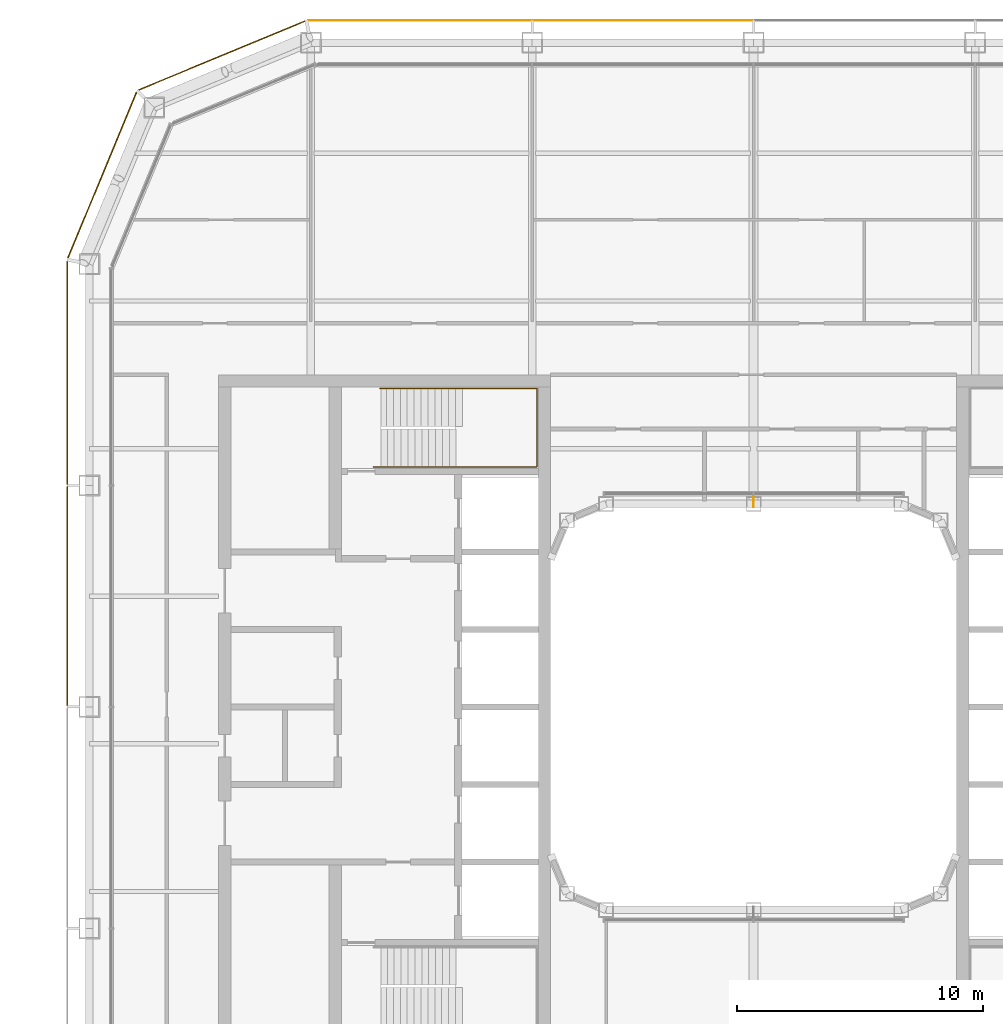
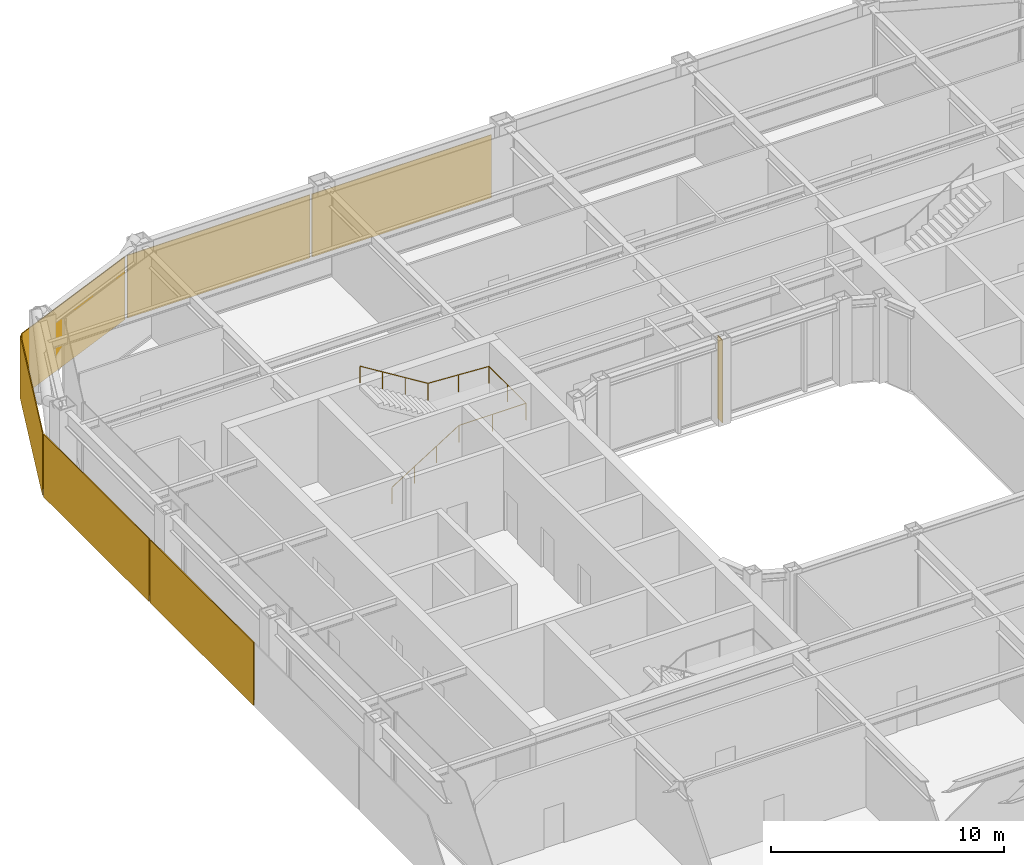
# One storey, part 21 of 23: 6 coverings, 1 railing, 1 shading device.
"""IFC4 building model written with IfcOpenShell, lengths in metres."""

from ifc_helpers import new_model, si_unit, direction, frame, origin, origin_2d, place, context, subcontext, project, spatial, rectangle, circle, extrude, material, layer, layer_set, type_object, element, save


model = new_model("IFC4")

# Units and contexts
model_context = context("Model", 3, precision=1e-05, world=origin(), true_north=direction((0.0, 1.0)))
body_context = subcontext(model_context, "Body", "Model", "MODEL_VIEW")
ifc_project = project(units=[si_unit("LENGTHUNIT", "METRE"), si_unit("AREAUNIT", "SQUARE_METRE"), si_unit("VOLUMEUNIT", "CUBIC_METRE"), si_unit("PLANEANGLEUNIT", "RADIAN"), si_unit("MASSUNIT", "GRAM", prefix="KILO")], contexts=[model_context])

# Site, building, storey
site_placement = place(None, origin())
site = spatial("IfcSite", under=ifc_project, at=site_placement, CompositionType="ELEMENT")
building_placement = place(site_placement, origin())
building = spatial("IfcBuilding", under=site, at=building_placement, Name="Siwar Civic Tower", CompositionType="ELEMENT")
storey_placement = place(building_placement, frame((0.0, 0.0, 197.199951171875)))
storey = spatial("IfcBuildingStorey", under=building, at=storey_placement, Name="L42", CompositionType="ELEMENT", Elevation=197.199951171875)

# Railing
ifc_material_1 = material(Name="Stainless steel", Category="steel")
railing_type = type_object("IfcRailingType", Name="CORE-STAIR-HANDRAIL", PredefinedType="HANDRAIL", material=ifc_material_1)
railing_placement = place(storey_placement, frame((-15.449951171875, 9.758056640625, 0.173095703125)))
element("IfcRailing", 1, at=railing_placement, inside=storey, type_object=railing_type, Name="Stair handrail ST1", PredefinedType="HANDRAIL", context=body_context, shape_type="SweptSolid", body=[
    extrude(circle(Radius=0.02001953125, at=origin_2d()), frame((0.0, 0.0, 0.8798828125), z_axis=(0.847063342986, 0.0, 0.531491950051), x_axis=(0.0, 1.0, 0.0)), (0.0, 0.0, 1.0), 3.90771484375),
    extrude(circle(Radius=0.02001953125, at=origin_2d()), frame((3.31005859375, 0.0, 2.956787109375), z_axis=(1.0, 0.0, 0.0), x_axis=(0.0, 1.0, 0.0)), (0.0, 0.0, 1.0), 3.331787109375),
    extrude(circle(Radius=0.02001953125, at=origin_2d()), frame((6.641845703125, 0.0, 2.956787109375), z_axis=(0.0, 1.0, 0.0), x_axis=(-1.0, 0.0, 0.0)), (0.0, 0.0, 1.0), 3.183837890625),
    extrude(circle(Radius=0.02001953125, at=origin_2d()), frame((6.641845703125, 3.183837890625, 2.956787109375), z_axis=(-0.99837434197, 0.0, 0.056997134106), x_axis=(0.0, -1.0, 0.0)), (0.0, 0.0, 1.0), 3.036865234375),
    extrude(circle(Radius=0.02001953125, at=origin_2d()), frame((3.60986328125, 3.183837890625, 3.1298828125), z_axis=(-0.850606129759, 0.0, 0.525803396734), x_axis=(0.0, -1.0, 0.0)), (0.0, 0.0, 1.0), 3.949951171875),
    extrude(circle(Radius=0.02001953125, at=origin_2d()), origin(), (0.0, 0.0, 1.0), 0.85986328125),
    extrude(circle(Radius=0.02001953125, at=origin_2d()), frame((1.103271484375, 0.0, 0.6923828125)), (0.0, 0.0, 1.0), 0.85986328125),
    extrude(circle(Radius=0.02001953125, at=origin_2d()), frame((2.206787109375, 0.0, 1.384521484375)), (0.0, 0.0, 1.0), 0.85986328125),
    extrude(circle(Radius=0.02001953125, at=origin_2d()), frame((3.31005859375, 0.0, 2.076904296875)), (0.0, 0.0, 1.0), 0.85986328125),
    extrude(circle(Radius=0.02001953125, at=origin_2d()), frame((4.97607421875, 0.0, 2.076904296875)), (0.0, 0.0, 1.0), 0.85986328125),
    extrude(circle(Radius=0.02001953125, at=origin_2d()), frame((6.641845703125, 0.0, 2.076904296875)), (0.0, 0.0, 1.0), 0.85986328125),
    extrude(circle(Radius=0.02001953125, at=origin_2d()), frame((6.641845703125, 1.591796875, 2.076904296875)), (0.0, 0.0, 1.0), 0.85986328125),
    extrude(circle(Radius=0.02001953125, at=origin_2d()), frame((6.641845703125, 3.183837890625, 2.076904296875)), (0.0, 0.0, 1.0), 0.85986328125),
    extrude(circle(Radius=0.02001953125, at=origin_2d()), frame((5.1259765625, 3.183837890625, 2.16357421875)), (0.0, 0.0, 1.0), 0.85986328125),
    extrude(circle(Radius=0.02001953125, at=origin_2d()), frame((3.60986328125, 3.183837890625, 2.25)), (0.0, 0.0, 1.0), 0.85986328125),
    extrude(circle(Radius=0.02001953125, at=origin_2d()), frame((2.489990234375, 3.183837890625, 2.9423828125)), (0.0, 0.0, 1.0), 0.85986328125),
    extrude(circle(Radius=0.02001953125, at=origin_2d()), frame((1.369873046875, 3.183837890625, 3.634521484375)), (0.0, 0.0, 1.0), 0.85986328125),
    extrude(circle(Radius=0.02001953125, at=origin_2d()), frame((0.25, 3.183837890625, 4.326904296875)), (0.0, 0.0, 1.0), 0.85986328125),
])

# Shading device
ifc_material_2 = material(Name="Aluminium 6063-T6", Category="aluminium")
ifc_layer_1 = layer(ifc_material_2, 0.02001953125)
ifc_layer_set_1 = layer_set([ifc_layer_1], Name="Aluminium 6063-T6")
shading_device_type = type_object("IfcShadingDeviceType", Name="ENV-FIN", PredefinedType="JALOUSIE", material=ifc_layer_set_1)
shading_device_placement = place(storey_placement, frame((0.0, 8.344970703125, 0.0), z_axis=(0.0, 0.0, 1.0), x_axis=(-1.0, 0.0, 0.0)))
element("IfcShadingDevice", 2, at=shading_device_placement, inside=storey, type_object=shading_device_type, Name="SUNSHADE fin WN 1", PredefinedType="JALOUSIE", context=body_context, shape_type="SweptSolid", body=[
    extrude(rectangle(XDim=0.02001953125, YDim=0.449951171875, at=origin_2d()), origin(), (0.0, 0.0, 1.0), 4.35009765625),
])

# Coverings
ifc_material_3 = material(Name="Perforated aluminium cassette, pale metal", Category="aluminium")
ifc_layer_2 = layer(ifc_material_3, 0.0400390625)
ifc_layer_set_2 = layer_set([ifc_layer_2], Name="Perforated aluminium cassette, pale metal")
covering_type_1 = type_object("IfcCoveringType", Name="ENV-OUTER SKIN OS-1", PredefinedType="CLADDING", material=ifc_layer_set_2)
covering_1_placement = place(storey_placement, frame((-4.5, 27.89990234375, -0.14990234375), z_axis=(0.0, 0.0, 1.0), x_axis=(-1.0, 0.0, 0.0)))
element("IfcCovering", 3, at=covering_1_placement, inside=storey, type_object=covering_type_1, Name="OUTER SKIN OS-1 N 3", PredefinedType="CLADDING", context=body_context, shape_type="SweptSolid", body=[
    extrude(rectangle(XDim=8.89990234375, YDim=0.0400390625, at=origin_2d()), origin(), (0.0, 0.0, 1.0), 3.300048828125),
])
covering_2_placement = place(storey_placement, frame((-13.57958984375, 27.89990234375, -0.14990234375), z_axis=(0.0, 0.0, 1.0), x_axis=(-1.0, 0.0, 0.0)))
element("IfcCovering", 4, at=covering_2_placement, inside=storey, type_object=covering_type_1, Name="OUTER SKIN OS-1 N 4", PredefinedType="CLADDING", context=body_context, shape_type="SweptSolid", body=[
    extrude(rectangle(XDim=9.05908203125, YDim=0.0400390625, at=origin_2d()), origin(), (0.0, 0.0, 1.0), 3.300048828125),
])
covering_3_placement = place(storey_placement, frame((-21.615966796875, 26.476318359375, -0.14990234375), z_axis=(0.0, 0.0, 1.0), x_axis=(-0.923879532511, -0.382683432365, 0.0)))
element("IfcCovering", 5, at=covering_3_placement, inside=storey, type_object=covering_type_1, Name="OUTER SKIN OS-1 NW1 1", PredefinedType="CLADDING", context=body_context, shape_type="SweptSolid", body=[
    extrude(rectangle(XDim=7.300048828125, YDim=0.0400390625, at=origin_2d()), origin(), (0.0, 0.0, 1.0), 3.300048828125),
])
ifc_material_4 = material(Name="Perforated aluminium cassette, pale metal", Category="aluminium")
ifc_layer_3 = layer(ifc_material_4, 0.044921875)
ifc_layer_set_3 = layer_set([ifc_layer_3], Name="Perforated aluminium cassette, pale metal")
covering_type_2 = type_object("IfcCoveringType", Name="ENV-OUTER SKIN OS-2", PredefinedType="CLADDING", material=ifc_layer_set_3)
covering_4_placement = place(storey_placement, frame((-26.476318359375, 21.615966796875, -0.14990234375), z_axis=(0.0, 0.0, 1.0), x_axis=(-0.382683432365, -0.923879532511, 0.0)))
element("IfcCovering", 6, at=covering_4_placement, inside=storey, type_object=covering_type_2, Name="OUTER SKIN OS-2 NW2 1", PredefinedType="CLADDING", context=body_context, shape_type="SweptSolid", body=[
    extrude(rectangle(XDim=7.300048828125, YDim=0.044921875, at=origin_2d()), origin(), (0.0, 0.0, 1.0), 3.300048828125),
])
ifc_material_5 = material(Name="Perforated aluminium cassette, pale metal", Category="aluminium")
ifc_layer_4 = layer(ifc_material_5, 0.050048828125)
ifc_layer_set_4 = layer_set([ifc_layer_4], Name="Perforated aluminium cassette, pale metal")
covering_type_3 = type_object("IfcCoveringType", Name="ENV-OUTER SKIN OS-3", PredefinedType="CLADDING", material=ifc_layer_set_4)
covering_5_placement = place(storey_placement, frame((-27.89990234375, 13.57958984375, -0.14990234375), z_axis=(0.0, 0.0, 1.0), x_axis=(0.0, -1.0, 0.0)))
element("IfcCovering", 7, at=covering_5_placement, inside=storey, type_object=covering_type_3, Name="OUTER SKIN OS-3 W 1", PredefinedType="CLADDING", context=body_context, shape_type="SweptSolid", body=[
    extrude(rectangle(XDim=9.05908203125, YDim=0.050048828125, at=origin_2d()), origin(), (0.0, 0.0, 1.0), 3.300048828125),
])
covering_6_placement = place(storey_placement, frame((-27.89990234375, 4.5, -0.14990234375), z_axis=(0.0, 0.0, 1.0), x_axis=(0.0, -1.0, 0.0)))
element("IfcCovering", 8, at=covering_6_placement, inside=storey, type_object=covering_type_3, Name="OUTER SKIN OS-3 W 2", PredefinedType="CLADDING", context=body_context, shape_type="SweptSolid", body=[
    extrude(rectangle(XDim=8.89990234375, YDim=0.050048828125, at=origin_2d()), origin(), (0.0, 0.0, 1.0), 3.300048828125),
])

save(model, "model.ifc")
